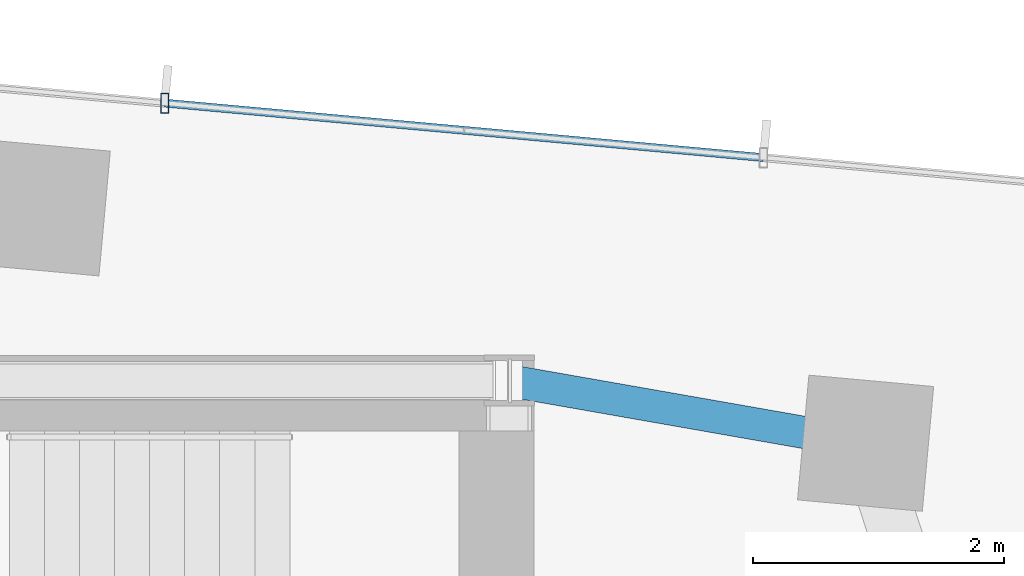
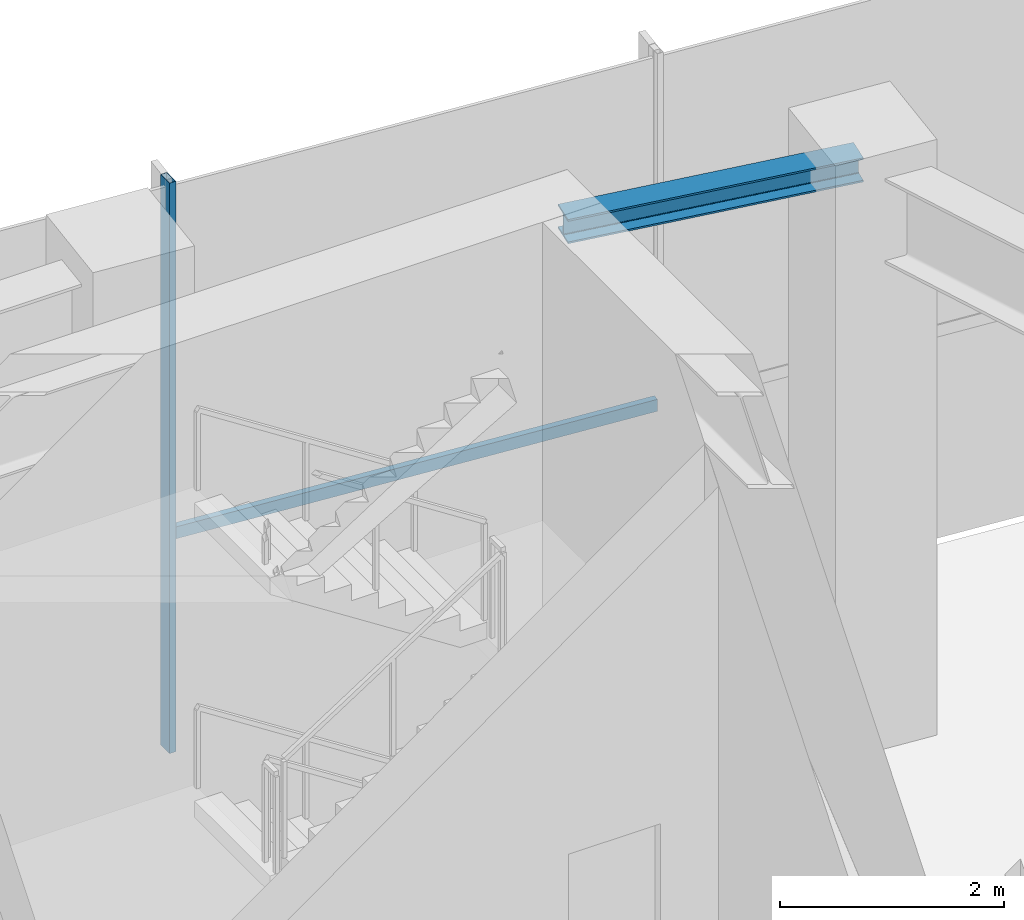
# One storey, part 9 of 18: 2 members, 1 beam, 1 element without a shape of its own.
"""IFC4 building model written with IfcOpenShell, lengths in metres."""

from ifc_helpers import new_model, si_unit, direction, frame, origin, origin_2d, place, context, subcontext, project, spatial, hollow_rectangle, i_section, extrude, source, transform, mapped, material, material_profile, profile_set, type_object, type_shapes, element, aggregate, save


model = new_model("IFC4")

# Units and contexts
model_context = context("Model", 3, precision=1e-05, world=origin(), true_north=direction((0.0, 1.0)))
body_context = subcontext(model_context, "Body", "Model", "MODEL_VIEW")
ifc_project = project(units=[si_unit("LENGTHUNIT", "METRE"), si_unit("AREAUNIT", "SQUARE_METRE"), si_unit("VOLUMEUNIT", "CUBIC_METRE"), si_unit("PLANEANGLEUNIT", "RADIAN"), si_unit("MASSUNIT", "GRAM", prefix="KILO")], contexts=[model_context])

# Site, building, storey
site_placement = place(None, origin())
site = spatial("IfcSite", under=ifc_project, at=site_placement, CompositionType="ELEMENT")
building_placement = place(site_placement, origin())
building = spatial("IfcBuilding", under=site, at=building_placement, Name="Astriad Promenade Condominiums", CompositionType="ELEMENT")
storey_placement = place(building_placement, frame((0.0, 0.0, 277.300048828125)))
storey = spatial("IfcBuildingStorey", under=building, at=storey_placement, Name="L78", CompositionType="ELEMENT", Elevation=277.300048828125)

# Beam
ifc_material_1 = material(Name="Steel ASTM A992 Grade 50", Category="steel")
ifc_material_profile_1 = material_profile(ifc_material_1, i_section(OverallWidth=0.25732421875, OverallDepth=0.26416015625, WebThickness=0.011962890625, FlangeThickness=0.01953125, FilletRadius=0.0126953125, at=origin_2d()), Name="W10X68")
ifc_profile_set_1 = profile_set([ifc_material_profile_1], Name="Steel ASTM A992 Grade 50")
beam_type = type_object("IfcBeamType", Name="STEEL CANOPY BEAM W10X68", PredefinedType="BEAM", material=ifc_profile_set_1)
shared_shape_1 = source(origin(), body_context, "Body", "SweptSolid", [
    extrude(i_section(OverallWidth=0.25732421875, OverallDepth=0.26416015625, WebThickness=0.011962890625, FlangeThickness=0.01953125, FilletRadius=0.0126953125, at=origin_2d()), origin(), (0.0, 0.0, 1.0), 2.809326171875),
])
type_shapes(beam_type, [shared_shape_1])
beam_placement = place(storey_placement, frame((48.406494140625, 23.5078125, 6.087890625), z_axis=(-0.984963251782, 0.172763979578, 0.0), x_axis=(-0.172763979578, -0.984963251782, 0.0)))
element("IfcBeam", 1, at=beam_placement, inside=storey, type_object=beam_type, Name="Primary Floor Girder PG-NE-L78", PredefinedType="BEAM", context=body_context, shape_type="MappedRepresentation", body=[
    mapped(shared_shape_1, transform((0.0, 0.0, 0.0), scale=1.0)),
])

# Curtain wall, members
ifc_material_2 = material(Name="Anodised aluminium Black Dark Glass Unitised", Category="aluminium")
curtain_wall_type = type_object("IfcCurtainWallType", Name="CW-TMD-LANTERN", PredefinedType="USERDEFINED", material=ifc_material_2)
curtain_wall_placement = place(storey_placement, origin())
curtain_wall = element("IfcCurtainWall", 2, at=curtain_wall_placement, inside=storey, type_object=curtain_wall_type, Name="CW-CRN-L78-08", ObjectType="UNITISED_CURTAIN_WALL", PredefinedType="USERDEFINED")
ifc_material_3 = material(Name="Anodised aluminium 6063-T6 Black", Category="aluminium")
ifc_material_profile_2 = material_profile(ifc_material_3, hollow_rectangle(XDim=0.06494140625, YDim=0.159912109375, WallThickness=0.00390625, at=origin_2d()), Name="ALU-MUL-65X160")
ifc_profile_set_2 = profile_set([ifc_material_profile_2], Name="Anodised aluminium 6063-T6 Black")
member_type_1 = type_object("IfcMemberType", Name="MUL-ALU-MUL-65X160", PredefinedType="MULLION", material=ifc_profile_set_2)
shared_shape_2 = source(origin(), body_context, "Body", "SweptSolid", [
    extrude(hollow_rectangle(XDim=0.06494140625, YDim=0.159912109375, WallThickness=0.00390625, at=origin_2d()), origin(), (0.0, 0.0, 1.0), 6.219970703125),
])
type_shapes(member_type_1, [shared_shape_2])
member_1_placement = place(storey_placement, frame((42.85009765625, 26.216552734375, 0.0), z_axis=(0.0, 0.0, 1.0), x_axis=(1.0, 0.0, 0.0)))
member_1 = element("IfcMember", 3, at=member_1_placement, type_object=member_type_1, Name="CW-CRN-L78-08-MUL-05", PredefinedType="MULLION", context=body_context, shape_type="MappedRepresentation", body=[
    mapped(shared_shape_2, transform((0.0, 0.0, 0.0), scale=1.0)),
])
ifc_material_profile_3 = material_profile(ifc_material_3, hollow_rectangle(XDim=0.06494140625, YDim=0.1298828125, WallThickness=0.00390625, at=origin_2d()), Name="ALU-TRN-65X130")
ifc_profile_set_3 = profile_set([ifc_material_profile_3], Name="Anodised aluminium 6063-T6 Black")
member_type_2 = type_object("IfcMemberType", Name="TRN-ALU-TRN-65X130", PredefinedType="USERDEFINED", material=ifc_profile_set_3)
shared_shape_3 = source(origin(), body_context, "Body", "SweptSolid", [
    extrude(hollow_rectangle(XDim=0.06494140625, YDim=0.1298828125, WallThickness=0.00390625, at=origin_2d()), origin(), (0.0, 0.0, 1.0), 4.800048828125),
])
type_shapes(member_type_2, [shared_shape_3])
member_2_placement = place(storey_placement, frame((42.85009765625, 26.216552734375, 2.349853515625), z_axis=(0.995884029465, -0.09063663639, 0.0), x_axis=(0.09063663639, 0.995884029465, 0.0)))
member_2 = element("IfcMember", 4, at=member_2_placement, type_object=member_type_2, Name="CW-CRN-L78-08-TRN-05-0", ObjectType="TRANSOM", PredefinedType="USERDEFINED", context=body_context, shape_type="MappedRepresentation", body=[
    mapped(shared_shape_3, transform((0.0, 0.0, 0.0), scale=1.0)),
])
aggregate(curtain_wall, [member_1, member_2])

save(model, "model.ifc")
